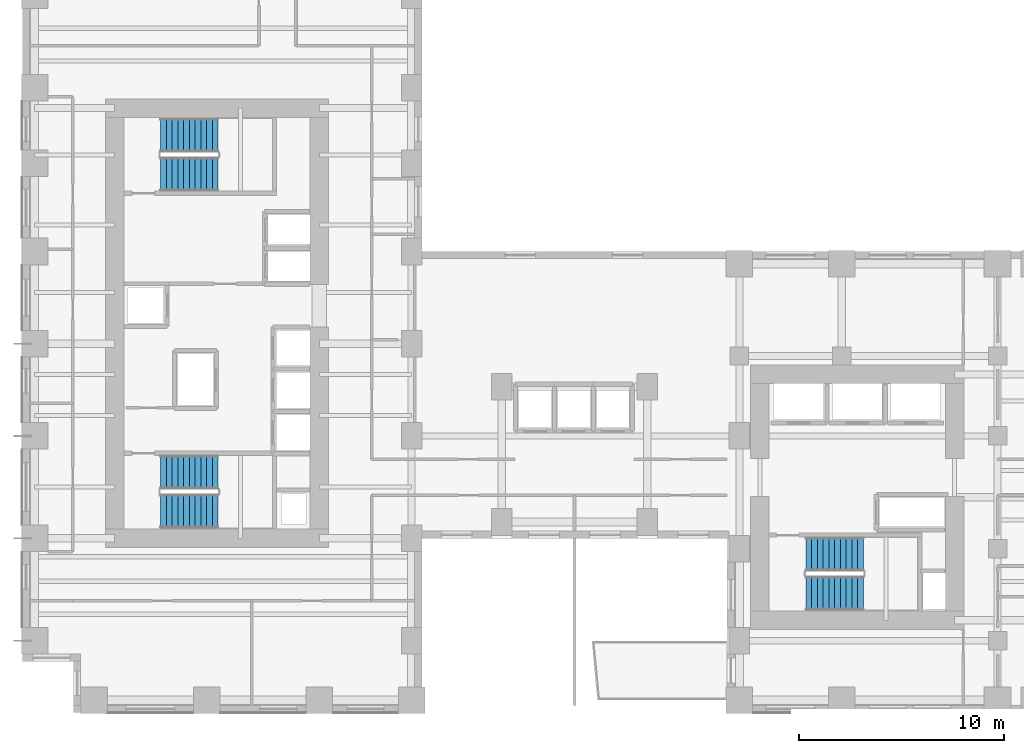
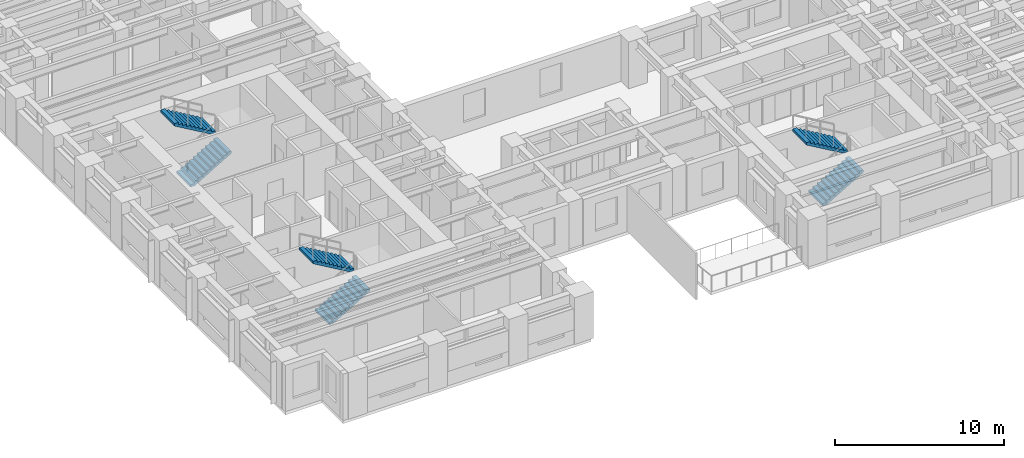
# One storey, part 10 of 13: 6 stair flights, 3 elements without a shape of their own.
"""IFC4 building model written with IfcOpenShell, lengths in metres."""

from ifc_helpers import new_model, si_unit, direction, frame, origin, place, context, subcontext, project, spatial, polyline, outline, extrude, source, transform, mapped, material, type_object, element, aggregate, save


model = new_model("IFC4")

# Units and contexts
model_context = context("Model", 3, precision=1e-05, world=origin(), true_north=direction((0.0, 1.0)))
body_context = subcontext(model_context, "Body", "Model", "MODEL_VIEW")
ifc_project = project(units=[si_unit("LENGTHUNIT", "METRE"), si_unit("AREAUNIT", "SQUARE_METRE"), si_unit("VOLUMEUNIT", "CUBIC_METRE"), si_unit("PLANEANGLEUNIT", "RADIAN"), si_unit("MASSUNIT", "GRAM", prefix="KILO")], contexts=[model_context])

# Site, building, storey
site_placement = place(None, origin())
site = spatial("IfcSite", under=ifc_project, at=site_placement, CompositionType="ELEMENT")
building_placement = place(site_placement, origin())
building = spatial("IfcBuilding", under=site, at=building_placement, Name="Kharzan Plaza Tower", CompositionType="ELEMENT")
storey_placement = place(building_placement, frame((0.0, 0.0, 47.699951171875)))
storey = spatial("IfcBuildingStorey", under=building, at=storey_placement, Name="L12", CompositionType="ELEMENT", Elevation=47.699951171875)

# Stair, stair flights
ifc_material = material(Name="Concrete C40/50", Category="concrete")
stair_type_1 = type_object("IfcStairType", Name="STR-ST-1", PredefinedType="HALF_TURN_STAIR", material=ifc_material)
stair_1_placement = place(storey_placement, origin())
stair_1 = element("IfcStair", 1, at=stair_1_placement, inside=storey, type_object=stair_type_1, Name="L12 Protected Exit Stair ST-1", PredefinedType="HALF_TURN_STAIR")
stair_flight_type = type_object("IfcStairFlightType", Name="SFL-1650-R173", PredefinedType="STRAIGHT", material=ifc_material)
shared_shape = source(origin(), body_context, "Body", "SweptSolid", [
    extrude(outline(polyline([(-0.0029296875, -0.011962890625), (-0.0029296875, 0.0), (0.0, 0.0), (0.0, 0.16357421875), (0.280029296875, 0.16357421875), (0.280029296875, 0.3271484375), (0.56005859375, 0.3271484375), (0.56005859375, 0.49072265625), (0.840087890625, 0.49072265625), (0.840087890625, 0.654296875), (1.1201171875, 0.654296875), (1.1201171875, 0.81787109375), (1.400146484375, 0.81787109375), (1.400146484375, 0.9814453125), (1.68017578125, 0.9814453125), (1.68017578125, 1.14501953125), (1.960205078125, 1.14501953125), (1.960205078125, 1.30859375), (2.240234375, 1.30859375), (2.240234375, 1.47216796875), (2.520263671875, 1.47216796875), (2.520263671875, 1.6357421875), (2.80029296875, 1.6357421875), (2.80029296875, 1.79931640625), (2.80029296875, 1.462158203125), (0.297119140625, 0.0), (0.297119140625, -0.011962890625), (-0.0029296875, -0.011962890625)])), frame((0.0, 0.824951171875, 0.0), z_axis=(0.0, -1.0, 0.0), x_axis=(1.0, 0.0, 0.0)), (0.0, 0.0, 1.0), 1.64990234375),
])
stair_flight_1_placement = place(storey_placement, frame((6.75, 9.824951171875, 0.0), z_axis=(0.0, 0.0, 1.0), x_axis=(1.0, 0.0, 0.0)))
stair_flight_1 = element("IfcStairFlight", 2, at=stair_flight_1_placement, type_object=stair_flight_type, Name="ST-1 flight 1", NumberOfRisers=11, NumberOfTreads=10, PredefinedType="STRAIGHT", RiserHeight=0.163636364, TreadLength=0.28, context=body_context, shape_type="MappedRepresentation", body=[
    mapped(shared_shape, transform((0.0, 0.0, 0.0), x_axis=(1.0, 0.0, 0.0), y_axis=(0.0, 1.0, 0.0), z_axis=(0.0, 0.0, 1.0))),
])
stair_flight_2_placement = place(storey_placement, frame((9.550048828125, 11.72509765625, 1.800048828125), z_axis=(0.0, 0.0, 1.0), x_axis=(-1.0, 0.0, 0.0)))
stair_flight_2 = element("IfcStairFlight", 3, at=stair_flight_2_placement, type_object=stair_flight_type, Name="ST-1 flight 2", NumberOfRisers=11, NumberOfTreads=10, PredefinedType="STRAIGHT", RiserHeight=0.163636364, TreadLength=0.28, context=body_context, shape_type="MappedRepresentation", body=[
    mapped(shared_shape, transform((0.0, 0.0, 0.0), x_axis=(1.0, 0.0, 0.0), y_axis=(0.0, 1.0, 0.0), z_axis=(0.0, 0.0, 1.0))),
])
aggregate(stair_1, [stair_flight_1, stair_flight_2])

stair_type_2 = type_object("IfcStairType", Name="STR-ST-2", PredefinedType="HALF_TURN_STAIR", material=ifc_material)
stair_2_placement = place(storey_placement, origin())
stair_2 = element("IfcStair", 4, at=stair_2_placement, inside=storey, type_object=stair_type_2, Name="L12 Protected Exit Stair ST-2", PredefinedType="HALF_TURN_STAIR")
stair_flight_3_placement = place(storey_placement, frame((6.75, 26.27490234375, 0.0), z_axis=(0.0, 0.0, 1.0), x_axis=(1.0, 0.0, 0.0)))
stair_flight_3 = element("IfcStairFlight", 5, at=stair_flight_3_placement, type_object=stair_flight_type, Name="ST-2 flight 1", NumberOfRisers=11, NumberOfTreads=10, PredefinedType="STRAIGHT", RiserHeight=0.163636364, TreadLength=0.28, context=body_context, shape_type="MappedRepresentation", body=[
    mapped(shared_shape, transform((0.0, 0.0, 0.0), x_axis=(1.0, 0.0, 0.0), y_axis=(0.0, 1.0, 0.0), z_axis=(0.0, 0.0, 1.0))),
])
stair_flight_4_placement = place(storey_placement, frame((9.550048828125, 28.175048828125, 1.800048828125), z_axis=(0.0, 0.0, 1.0), x_axis=(-1.0, 0.0, 0.0)))
stair_flight_4 = element("IfcStairFlight", 6, at=stair_flight_4_placement, type_object=stair_flight_type, Name="ST-2 flight 2", NumberOfRisers=11, NumberOfTreads=10, PredefinedType="STRAIGHT", RiserHeight=0.163636364, TreadLength=0.28, context=body_context, shape_type="MappedRepresentation", body=[
    mapped(shared_shape, transform((0.0, 0.0, 0.0), x_axis=(1.0, 0.0, 0.0), y_axis=(0.0, 1.0, 0.0), z_axis=(0.0, 0.0, 1.0))),
])
aggregate(stair_2, [stair_flight_3, stair_flight_4])

stair_type_3 = type_object("IfcStairType", Name="STR-ST-3", PredefinedType="HALF_TURN_STAIR", material=ifc_material)
stair_3_placement = place(storey_placement, origin())
stair_3 = element("IfcStair", 7, at=stair_3_placement, inside=storey, type_object=stair_type_3, Name="L12 Protected Exit Stair ST-3", PredefinedType="HALF_TURN_STAIR")
stair_flight_5_placement = place(storey_placement, frame((38.25, 5.824951171875, 0.0), z_axis=(0.0, 0.0, 1.0), x_axis=(1.0, 0.0, 0.0)))
stair_flight_5 = element("IfcStairFlight", 8, at=stair_flight_5_placement, type_object=stair_flight_type, Name="ST-3 flight 1", NumberOfRisers=11, NumberOfTreads=10, PredefinedType="STRAIGHT", RiserHeight=0.163636364, TreadLength=0.28, context=body_context, shape_type="MappedRepresentation", body=[
    mapped(shared_shape, transform((0.0, 0.0, 0.0), x_axis=(1.0, 0.0, 0.0), y_axis=(0.0, 1.0, 0.0), z_axis=(0.0, 0.0, 1.0))),
])
stair_flight_6_placement = place(storey_placement, frame((41.050048828125, 7.72509765625, 1.800048828125), z_axis=(0.0, 0.0, 1.0), x_axis=(-1.0, 0.0, 0.0)))
stair_flight_6 = element("IfcStairFlight", 9, at=stair_flight_6_placement, type_object=stair_flight_type, Name="ST-3 flight 2", NumberOfRisers=11, NumberOfTreads=10, PredefinedType="STRAIGHT", RiserHeight=0.163636364, TreadLength=0.28, context=body_context, shape_type="MappedRepresentation", body=[
    mapped(shared_shape, transform((0.0, 0.0, 0.0), x_axis=(1.0, 0.0, 0.0), y_axis=(0.0, 1.0, 0.0), z_axis=(0.0, 0.0, 1.0))),
])
aggregate(stair_3, [stair_flight_5, stair_flight_6])

save(model, "model.ifc")
